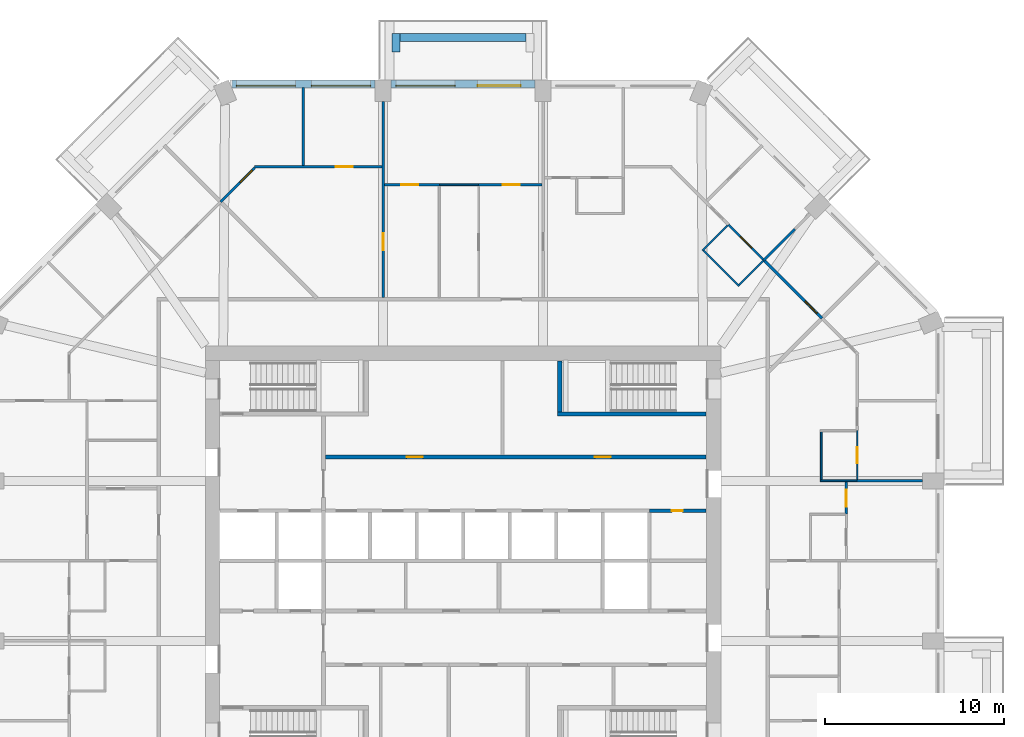
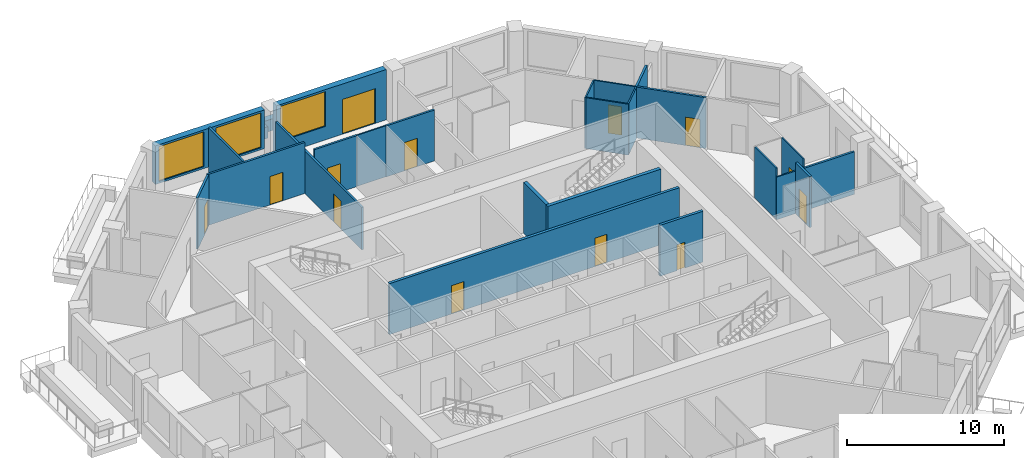
# One storey, part 9 of 13: 26 walls, 13 doors, 3 windows, 16 openings.
"""IFC4 building model written with IfcOpenShell, lengths in metres."""

from ifc_helpers import new_model, si_unit, direction, frame, frame_2d, origin, place, context, subcontext, project, spatial, rectangle, extrude, material, layer, layer_set, type_object, element, fill, save


model = new_model("IFC4")

# Units and contexts
model_context = context("Model", 3, precision=1e-05, world=origin(), true_north=direction((0.0, 1.0)))
body_context = subcontext(model_context, "Body", "Model", "MODEL_VIEW")
ifc_project = project(units=[si_unit("LENGTHUNIT", "METRE"), si_unit("AREAUNIT", "SQUARE_METRE"), si_unit("VOLUMEUNIT", "CUBIC_METRE"), si_unit("PLANEANGLEUNIT", "RADIAN"), si_unit("MASSUNIT", "GRAM", prefix="KILO")], contexts=[model_context])

# Site, building, storey
site_placement = place(None, origin())
site = spatial("IfcSite", under=ifc_project, at=site_placement, CompositionType="ELEMENT")
building_placement = place(site_placement, origin())
building = spatial("IfcBuilding", under=site, at=building_placement, Name="Msitu Wima Residences", CompositionType="ELEMENT")
storey_placement = place(building_placement, frame((0.0, 0.0, 140.10009765625)))
storey = spatial("IfcBuildingStorey", under=building, at=storey_placement, Name="L32", CompositionType="ELEMENT", Elevation=140.10009765625)

# Walls
ifc_material_1 = material(Name="Facing brick")
ifc_layer_1 = layer(ifc_material_1, 0.06494140625, Name="Facing brick")
ifc_material_2 = material(Name="Concrete C40/50", Category="concrete")
ifc_layer_2 = layer(ifc_material_2, 0.156005859375, Name="Concrete C40/50")
ifc_material_3 = material(Name="Waterproofing membrane")
ifc_layer_3 = layer(ifc_material_3, 0.00390625, Name="Waterproofing membrane")
ifc_material_4 = material(Name="Planting soil and planting")
ifc_layer_4 = layer(ifc_material_4, 0.22509765625, Name="Planting soil and planting")
ifc_layer_set_1 = layer_set([ifc_layer_1, ifc_layer_2, ifc_layer_3, ifc_layer_4], Name="Concrete C40/50")
wall_type_1 = type_object("IfcWallType", Name="Balcony planter PLANTER PL450", PredefinedType="USERDEFINED", material=ifc_layer_set_1)
wall_1_placement = place(storey_placement, frame((3.5185546875, 29.22509765625, 0.0), z_axis=(0.0, 0.0, 1.0), x_axis=(-1.0, 0.0, 0.0)))
element("IfcWall", 1, at=wall_1_placement, inside=storey, type_object=wall_type_1, Name="Balcony planter N1 L32", ObjectType="PLANTER", PredefinedType="USERDEFINED", context=body_context, shape_type="SweptSolid", body=[
    extrude(rectangle(XDim=7.037109375, YDim=0.449951171875, at=frame_2d((3.5185546875, 0.0))), origin(), (0.0, 0.0, 1.0), 0.89990234375),
])
wall_2_placement = place(storey_placement, frame((-3.74365234375, 28.39990234375, 0.0), z_axis=(0.0, 0.0, 1.0), x_axis=(0.0, 1.0, 0.0)))
element("IfcWall", 2, at=wall_2_placement, inside=storey, type_object=wall_type_1, Name="Balcony planter N1 L32", ObjectType="PLANTER", PredefinedType="USERDEFINED", context=body_context, shape_type="SweptSolid", body=[
    extrude(rectangle(XDim=1.050048828125, YDim=0.449951171875, at=frame_2d((0.52490234375, 0.0))), origin(), (0.0, 0.0, 1.0), 0.89990234375),
])

# Wall, openings, door, window
ifc_material_5 = material(Name="Brick (red buff mix)", Category="masonry")
ifc_layer_5 = layer(ifc_material_5, 0.449951171875)
ifc_layer_set_2 = layer_set([ifc_layer_5], Name="Brick (red buff mix)")
wall_type_2 = type_object("IfcWallType", Name="Brick infill wall BW450", PredefinedType="SOLIDWALL", material=ifc_layer_set_2)
wall_3_placement = place(storey_placement, frame((4.0185546875, 26.625, 0.0), z_axis=(0.0, 0.0, 1.0), x_axis=(-1.0, 0.0, 0.0)))
wall_3 = element("IfcWall", 3, at=wall_3_placement, inside=storey, type_object=wall_type_2, Name="Brick infill wall L32 N1", PredefinedType="SOLIDWALL", context=body_context, shape_type="SweptSolid", body=[
    extrude(rectangle(XDim=8.037109375, YDim=0.449951171875, at=frame_2d((4.0185546875, 0.0))), origin(), (0.0, 0.0, 1.0), 3.89990234375),
])
opening_1_placement = place(wall_3_placement, frame((0.809326171875, 0.0, 0.0)))
opening_1 = element("IfcOpeningElement", 4, at=opening_1_placement, cuts=wall_3, Name="Opening D30-32.003", PredefinedType="OPENING", context=body_context, shape_type="SweptSolid", body=[
    extrude(rectangle(XDim=2.39990234375, YDim=2.699951171875, at=frame_2d((1.199951171875, 1.35009765625))), frame((0.0, 0.23486328125, 0.0), z_axis=(0.0, -1.0, 0.0), x_axis=(1.0, 0.0, 0.0)), (0.0, 0.0, 1.0), 0.469970703125),
])
opening_2_placement = place(wall_3_placement, frame((4.46875, 0.0, 1.050048828125)))
opening_2 = element("IfcOpeningElement", 5, at=opening_2_placement, cuts=wall_3, Name="Opening W30-32.007", PredefinedType="OPENING", context=body_context, shape_type="SweptSolid", body=[
    extrude(rectangle(XDim=3.300048828125, YDim=2.699951171875, at=frame_2d((1.64990234375, 1.35009765625))), frame((0.0, 0.23486328125, 0.0), z_axis=(0.0, -1.0, 0.0), x_axis=(1.0, 0.0, 0.0)), (0.0, 0.0, 1.0), 0.469970703125),
])
ifc_material_6 = material(Name="Anodised aluminium, bronze finish, clear low-emissivity double glazing", Category="aluminium")
door_type_1 = type_object("IfcDoorType", Name="Balcony door D2400x2700", OperationType="SLIDING_TO_LEFT", PredefinedType="DOOR", material=ifc_material_6)
door_1_placement = place(opening_1_placement, origin())
door_1 = element("IfcDoor", 6, at=door_1_placement, inside=storey, type_object=door_type_1, Name="Balcony door L32 N1", OperationType="SINGLE_SWING_LEFT", OverallHeight=2.699951171875, OverallWidth=2.39990234375, PredefinedType="DOOR", context=body_context, shape_type="SweptSolid", body=[
    extrude(rectangle(XDim=2.39990234375, YDim=2.699951171875, at=frame_2d((1.199951171875, 1.35009765625))), frame((0.0, 0.1298828125, 0.0), z_axis=(0.0, -1.0, 0.0), x_axis=(1.0, 0.0, 0.0)), (0.0, 0.0, 1.0), 0.050048828125),
])
fill(opening_1, door_1)
window_type = type_object("IfcWindowType", Name="Window W3300x2700", PartitioningType="DOUBLE_PANEL_VERTICAL", PredefinedType="WINDOW", material=ifc_material_6)
window_1_placement = place(opening_2_placement, origin())
window_1 = element("IfcWindow", 7, at=window_1_placement, inside=storey, type_object=window_type, Name="Window L32 N1.2", OverallHeight=2.699951171875, OverallWidth=3.300048828125, PartitioningType="SINGLE_PANEL", PredefinedType="WINDOW", context=body_context, shape_type="SweptSolid", body=[
    extrude(rectangle(XDim=3.300048828125, YDim=2.699951171875, at=frame_2d((1.64990234375, 1.35009765625))), frame((0.0, 0.135009765625, 0.0), z_axis=(0.0, -1.0, 0.0), x_axis=(1.0, 0.0, 0.0)), (0.0, 0.0, 1.0), 0.06005859375),
])
fill(opening_2, window_1)

# Wall, openings, windows
wall_4_placement = place(storey_placement, frame((-4.918701171875, 26.625, 0.89990234375), z_axis=(0.0, 0.0, 1.0), x_axis=(-1.0, 0.0, 0.0)))
wall_4 = element("IfcWall", 8, at=wall_4_placement, inside=storey, type_object=wall_type_2, Name="Brick infill wall L32 N2", PredefinedType="SOLIDWALL", context=body_context, shape_type="SweptSolid", body=[
    extrude(rectangle(XDim=8.0, YDim=0.449951171875, at=frame_2d((4.0, 0.0))), origin(), (0.0, 0.0, 1.0), 3.0),
])
opening_3_placement = place(wall_4_placement, frame((0.25, 0.0, 0.14990234375)))
opening_3 = element("IfcOpeningElement", 9, at=opening_3_placement, cuts=wall_4, Name="Opening W30-32.008", PredefinedType="OPENING", context=body_context, shape_type="SweptSolid", body=[
    extrude(rectangle(XDim=3.300048828125, YDim=2.699951171875, at=frame_2d((1.64990234375, 1.35009765625))), frame((0.0, 0.23486328125, 0.0), z_axis=(0.0, -1.0, 0.0), x_axis=(1.0, 0.0, 0.0)), (0.0, 0.0, 1.0), 0.469970703125),
])
opening_4_placement = place(wall_4_placement, frame((4.4501953125, 0.0, 0.14990234375)))
opening_4 = element("IfcOpeningElement", 10, at=opening_4_placement, cuts=wall_4, Name="Opening W30-32.009", PredefinedType="OPENING", context=body_context, shape_type="SweptSolid", body=[
    extrude(rectangle(XDim=3.300048828125, YDim=2.699951171875, at=frame_2d((1.64990234375, 1.35009765625))), frame((0.0, 0.23486328125, 0.0), z_axis=(0.0, -1.0, 0.0), x_axis=(1.0, 0.0, 0.0)), (0.0, 0.0, 1.0), 0.469970703125),
])
window_2_placement = place(opening_3_placement, origin())
window_2 = element("IfcWindow", 11, at=window_2_placement, inside=storey, type_object=window_type, Name="Window L32 N2.1", OverallHeight=2.699951171875, OverallWidth=3.300048828125, PartitioningType="SINGLE_PANEL", PredefinedType="WINDOW", context=body_context, shape_type="SweptSolid", body=[
    extrude(rectangle(XDim=3.300048828125, YDim=2.699951171875, at=frame_2d((1.64990234375, 1.35009765625))), frame((0.0, 0.135009765625, 0.0), z_axis=(0.0, -1.0, 0.0), x_axis=(1.0, 0.0, 0.0)), (0.0, 0.0, 1.0), 0.06005859375),
])
fill(opening_3, window_2)
window_3_placement = place(opening_4_placement, origin())
window_3 = element("IfcWindow", 12, at=window_3_placement, inside=storey, type_object=window_type, Name="Window L32 N2.2", OverallHeight=2.699951171875, OverallWidth=3.300048828125, PartitioningType="SINGLE_PANEL", PredefinedType="WINDOW", context=body_context, shape_type="SweptSolid", body=[
    extrude(rectangle(XDim=3.300048828125, YDim=2.699951171875, at=frame_2d((1.64990234375, 1.35009765625))), frame((0.0, 0.135009765625, 0.0), z_axis=(0.0, -1.0, 0.0), x_axis=(1.0, 0.0, 0.0)), (0.0, 0.0, 1.0), 0.06005859375),
])
fill(opening_4, window_3)

# Wall, openings, doors
ifc_material_7 = material(Name="Plaster")
ifc_layer_6 = layer(ifc_material_7, 0.011962890625, Name="Plaster")
ifc_material_8 = material(Name="Concrete blockwork", Category="masonry")
ifc_layer_7 = layer(ifc_material_8, 0.176025390625, Name="Concrete blockwork")
ifc_layer_8 = layer(ifc_material_7, 0.011962890625, Name="Plaster")
ifc_layer_set_3 = layer_set([ifc_layer_6, ifc_layer_7, ifc_layer_8], Name="Concrete blockwork")
wall_type_3 = type_object("IfcWallType", Name="Corridor wall FW200", PredefinedType="PARTITIONING", material=ifc_layer_set_3)
wall_5_placement = place(storey_placement, frame((-7.699951171875, 5.800048828125, 0.0), z_axis=(0.0, 0.0, 1.0), x_axis=(1.0, 0.0, 0.0)))
wall_5 = element("IfcWall", 13, at=wall_5_placement, inside=storey, type_object=wall_type_3, Name="Corridor wall", PredefinedType="PARTITIONING", context=body_context, shape_type="SweptSolid", body=[
    extrude(rectangle(XDim=21.27001953125, YDim=0.199951171875, at=frame_2d((10.635009765625, 0.0))), origin(), (0.0, 0.0, 1.0), 3.949951171875),
])
opening_5_placement = place(wall_5_placement, frame((4.550048828125, 0.0, 0.0)))
opening_5 = element("IfcOpeningElement", 14, at=opening_5_placement, cuts=wall_5, Name="Opening D30-32.020", PredefinedType="OPENING", context=body_context, shape_type="SweptSolid", body=[
    extrude(rectangle(XDim=0.89990234375, YDim=2.199951171875, at=frame_2d((0.449951171875, 1.10009765625))), frame((0.0, 0.10986328125, 0.0), z_axis=(0.0, -1.0, 0.0), x_axis=(1.0, 0.0, 0.0)), (0.0, 0.0, 1.0), 0.219970703125),
])
opening_6_placement = place(wall_5_placement, frame((15.050048828125, 0.0, 0.0)))
opening_6 = element("IfcOpeningElement", 15, at=opening_6_placement, cuts=wall_5, Name="Opening D30-32.021", PredefinedType="OPENING", context=body_context, shape_type="SweptSolid", body=[
    extrude(rectangle(XDim=0.89990234375, YDim=2.199951171875, at=frame_2d((0.449951171875, 1.10009765625))), frame((0.0, 0.10986328125, 0.0), z_axis=(0.0, -1.0, 0.0), x_axis=(1.0, 0.0, 0.0)), (0.0, 0.0, 1.0), 0.219970703125),
])
ifc_material_9 = material(Name="Timber flush door", Category="wood")
door_type_2 = type_object("IfcDoorType", Name="Service door D05 900x2200", OperationType="SINGLE_SWING_LEFT", PredefinedType="DOOR", material=ifc_material_9)
door_2_placement = place(opening_5_placement, origin())
door_2 = element("IfcDoor", 16, at=door_2_placement, inside=storey, type_object=door_type_2, Name="Service door", OperationType="SINGLE_SWING_LEFT", OverallHeight=2.199951171875, OverallWidth=0.89990234375, PredefinedType="DOOR", context=body_context, shape_type="SweptSolid", body=[
    extrude(rectangle(XDim=0.89990234375, YDim=2.199951171875, at=frame_2d((0.449951171875, 1.10009765625))), frame((0.0, 0.02490234375, 0.0), z_axis=(0.0, -1.0, 0.0), x_axis=(1.0, 0.0, 0.0)), (0.0, 0.0, 1.0), 0.050048828125),
])
fill(opening_5, door_2)
door_3_placement = place(opening_6_placement, origin())
door_3 = element("IfcDoor", 17, at=door_3_placement, inside=storey, type_object=door_type_2, Name="Service door", OperationType="SINGLE_SWING_RIGHT", OverallHeight=2.199951171875, OverallWidth=0.89990234375, PredefinedType="DOOR", context=body_context, shape_type="SweptSolid", body=[
    extrude(rectangle(XDim=0.89990234375, YDim=2.199951171875, at=frame_2d((0.449951171875, 1.10009765625))), frame((0.0, 0.02490234375, 0.0), z_axis=(0.0, -1.0, 0.0), x_axis=(1.0, 0.0, 0.0)), (0.0, 0.0, 1.0), 0.050048828125),
])
fill(opening_6, door_3)

# Wall, opening, door
ifc_layer_9 = layer(ifc_material_7, 0.011962890625, Name="Plaster")
ifc_layer_10 = layer(ifc_material_8, 0.1259765625, Name="Concrete blockwork")
ifc_layer_11 = layer(ifc_material_7, 0.011962890625, Name="Plaster")
ifc_layer_set_4 = layer_set([ifc_layer_9, ifc_layer_10, ifc_layer_11], Name="Concrete blockwork")
wall_type_4 = type_object("IfcWallType", Name="Partition PW150", PredefinedType="PARTITIONING", material=ifc_layer_set_4)
wall_6_placement = place(storey_placement, frame((-13.543212890625, 20.040283203125, 0.0), z_axis=(0.0, 0.0, 1.0), x_axis=(0.707106781187, 0.707106781187, 0.0)))
wall_6 = element("IfcWall", 18, at=wall_6_placement, inside=storey, type_object=wall_type_4, Name="Partition", PredefinedType="PARTITIONING", context=body_context, shape_type="SweptSolid", body=[
    extrude(rectangle(XDim=2.696533203125, YDim=0.14990234375, at=frame_2d((1.34814453125, 0.0))), origin(), (0.0, 0.0, 1.0), 3.949951171875),
])
opening_7_placement = place(wall_6_placement, frame((1.550048828125, 0.0, 0.0)))
opening_7 = element("IfcOpeningElement", 19, at=opening_7_placement, cuts=wall_6, Name="Opening D30-32.044", PredefinedType="OPENING", context=body_context, shape_type="SweptSolid", body=[
    extrude(rectangle(XDim=0.949951171875, YDim=2.199951171875, at=frame_2d((0.47509765625, 1.10009765625))), frame((0.0, 0.0849609375, 0.0), z_axis=(0.0, -1.0, 0.0), x_axis=(1.0, 0.0, 0.0)), (0.0, 0.0, 1.0), 0.169921875),
])
door_type_3 = type_object("IfcDoorType", Name="Room door D12 950x2200", OperationType="SINGLE_SWING_LEFT", PredefinedType="DOOR", material=ifc_material_9)
door_4_placement = place(opening_7_placement, origin())
door_4 = element("IfcDoor", 20, at=door_4_placement, inside=storey, type_object=door_type_3, Name="Room door", OperationType="SINGLE_SWING_LEFT", OverallHeight=2.199951171875, OverallWidth=0.949951171875, PredefinedType="DOOR", context=body_context, shape_type="SweptSolid", body=[
    extrude(rectangle(XDim=0.949951171875, YDim=2.199951171875, at=frame_2d((0.47509765625, 1.10009765625))), frame((0.0, 0.02490234375, 0.0), z_axis=(0.0, -1.0, 0.0), x_axis=(1.0, 0.0, 0.0)), (0.0, 0.0, 1.0), 0.050048828125),
])
fill(opening_7, door_4)

wall_7_placement = place(storey_placement, frame((-11.658447265625, 22.0, 0.0), z_axis=(0.0, 0.0, 1.0), x_axis=(1.0, 0.0, 0.0)))
wall_7 = element("IfcWall", 21, at=wall_7_placement, inside=storey, type_object=wall_type_4, Name="Partition", PredefinedType="PARTITIONING", context=body_context, shape_type="SweptSolid", body=[
    extrude(rectangle(XDim=7.11474609375, YDim=0.14990234375, at=frame_2d((3.557373046875, 0.0))), origin(), (0.0, 0.0, 1.0), 3.949951171875),
])
opening_8_placement = place(wall_7_placement, frame((4.550048828125, 0.0, 0.0)))
opening_8 = element("IfcOpeningElement", 22, at=opening_8_placement, cuts=wall_7, Name="Opening D30-32.043", PredefinedType="OPENING", context=body_context, shape_type="SweptSolid", body=[
    extrude(rectangle(XDim=0.949951171875, YDim=2.199951171875, at=frame_2d((0.47509765625, 1.10009765625))), frame((0.0, 0.0849609375, 0.0), z_axis=(0.0, -1.0, 0.0), x_axis=(1.0, 0.0, 0.0)), (0.0, 0.0, 1.0), 0.169921875),
])
door_5_placement = place(opening_8_placement, origin())
door_5 = element("IfcDoor", 23, at=door_5_placement, inside=storey, type_object=door_type_3, Name="Room door", OperationType="SINGLE_SWING_RIGHT", OverallHeight=2.199951171875, OverallWidth=0.949951171875, PredefinedType="DOOR", context=body_context, shape_type="SweptSolid", body=[
    extrude(rectangle(XDim=0.949951171875, YDim=2.199951171875, at=frame_2d((0.47509765625, 1.10009765625))), frame((0.0, 0.02490234375, 0.0), z_axis=(0.0, -1.0, 0.0), x_axis=(1.0, 0.0, 0.0)), (0.0, 0.0, 1.0), 0.050048828125),
])
fill(opening_8, door_5)

# Wall
wall_8_placement = place(storey_placement, frame((-8.937255859375, 22.074951171875, 0.0), z_axis=(0.0, 0.0, 1.0), x_axis=(0.0, 1.0, 0.0)))
element("IfcWall", 24, at=wall_8_placement, inside=storey, type_object=wall_type_4, Name="Partition", PredefinedType="PARTITIONING", context=body_context, shape_type="SweptSolid", body=[
    extrude(rectangle(XDim=4.35009765625, YDim=0.14990234375, at=frame_2d((2.175048828125, 0.0))), origin(), (0.0, 0.0, 1.0), 3.949951171875),
])

# Wall, opening, door
wall_9_placement = place(storey_placement, frame((-4.46875, 14.699951171875, 0.0), z_axis=(0.0, 0.0, 1.0), x_axis=(0.0, 1.0, 0.0)))
wall_9 = element("IfcWall", 25, at=wall_9_placement, inside=storey, type_object=wall_type_4, Name="Partition", PredefinedType="PARTITIONING", context=body_context, shape_type="SweptSolid", body=[
    extrude(rectangle(XDim=10.949951171875, YDim=0.14990234375, at=frame_2d((5.47509765625, 0.0))), origin(), (0.0, 0.0, 1.0), 3.2998046875),
])
opening_9_placement = place(wall_9_placement, frame((2.64990234375, 0.0, 0.0)))
opening_9 = element("IfcOpeningElement", 26, at=opening_9_placement, cuts=wall_9, Name="Opening D30-32.042", PredefinedType="OPENING", context=body_context, shape_type="SweptSolid", body=[
    extrude(rectangle(XDim=0.949951171875, YDim=2.199951171875, at=frame_2d((0.47509765625, 1.10009765625))), frame((0.0, 0.0849609375, 0.0), z_axis=(0.0, -1.0, 0.0), x_axis=(1.0, 0.0, 0.0)), (0.0, 0.0, 1.0), 0.169921875),
])
door_6_placement = place(opening_9_placement, origin())
door_6 = element("IfcDoor", 27, at=door_6_placement, inside=storey, type_object=door_type_3, Name="Room door", OperationType="SINGLE_SWING_LEFT", OverallHeight=2.199951171875, OverallWidth=0.949951171875, PredefinedType="DOOR", context=body_context, shape_type="SweptSolid", body=[
    extrude(rectangle(XDim=0.949951171875, YDim=2.199951171875, at=frame_2d((0.47509765625, 1.10009765625))), frame((0.0, 0.02490234375, 0.0), z_axis=(0.0, -1.0, 0.0), x_axis=(1.0, 0.0, 0.0)), (0.0, 0.0, 1.0), 0.050048828125),
])
fill(opening_9, door_6)

wall_10_placement = place(storey_placement, frame((-4.3935546875, 21.0, 0.0), z_axis=(0.0, 0.0, 1.0), x_axis=(1.0, 0.0, 0.0)))
wall_10 = element("IfcWall", 28, at=wall_10_placement, inside=storey, type_object=wall_type_4, Name="Partition", PredefinedType="PARTITIONING", context=body_context, shape_type="SweptSolid", body=[
    extrude(rectangle(XDim=3.082275390625, YDim=0.14990234375, at=frame_2d((1.541015625, 0.0))), origin(), (0.0, 0.0, 1.0), 3.949951171875),
])
opening_10_placement = place(wall_10_placement, frame((0.949951171875, 0.0, 0.0)))
opening_10 = element("IfcOpeningElement", 29, at=opening_10_placement, cuts=wall_10, Name="Opening D30-32.041", PredefinedType="OPENING", context=body_context, shape_type="SweptSolid", body=[
    extrude(rectangle(XDim=0.949951171875, YDim=2.199951171875, at=frame_2d((0.47509765625, 1.10009765625))), frame((0.0, 0.0849609375, 0.0), z_axis=(0.0, -1.0, 0.0), x_axis=(1.0, 0.0, 0.0)), (0.0, 0.0, 1.0), 0.169921875),
])
door_7_placement = place(opening_10_placement, origin())
door_7 = element("IfcDoor", 30, at=door_7_placement, inside=storey, type_object=door_type_3, Name="Room door", OperationType="SINGLE_SWING_LEFT", OverallHeight=2.199951171875, OverallWidth=0.949951171875, PredefinedType="DOOR", context=body_context, shape_type="SweptSolid", body=[
    extrude(rectangle(XDim=0.949951171875, YDim=2.199951171875, at=frame_2d((0.47509765625, 1.10009765625))), frame((0.0, 0.02490234375, 0.0), z_axis=(0.0, -1.0, 0.0), x_axis=(1.0, 0.0, 0.0)), (0.0, 0.0, 1.0), 0.050048828125),
])
fill(opening_10, door_7)

wall_11_placement = place(storey_placement, frame((0.8486328125, 21.0, 0.0), z_axis=(0.0, 0.0, 1.0), x_axis=(1.0, 0.0, 0.0)))
wall_11 = element("IfcWall", 31, at=wall_11_placement, inside=storey, type_object=wall_type_4, Name="Partition", PredefinedType="PARTITIONING", context=body_context, shape_type="SweptSolid", body=[
    extrude(rectangle(XDim=3.544921875, YDim=0.14990234375, at=frame_2d((1.7724609375, 0.0))), origin(), (0.0, 0.0, 1.0), 3.949951171875),
])
opening_11_placement = place(wall_11_placement, frame((1.35009765625, 0.0, 0.0)))
opening_11 = element("IfcOpeningElement", 32, at=opening_11_placement, cuts=wall_11, Name="Opening D30-32.073", PredefinedType="OPENING", context=body_context, shape_type="SweptSolid", body=[
    extrude(rectangle(XDim=0.949951171875, YDim=2.199951171875, at=frame_2d((0.47509765625, 1.10009765625))), frame((0.0, 0.0849609375, 0.0), z_axis=(0.0, -1.0, 0.0), x_axis=(1.0, 0.0, 0.0)), (0.0, 0.0, 1.0), 0.169921875),
])
door_8_placement = place(opening_11_placement, origin())
door_8 = element("IfcDoor", 33, at=door_8_placement, inside=storey, type_object=door_type_3, Name="Room door", OperationType="SINGLE_SWING_RIGHT", OverallHeight=2.199951171875, OverallWidth=0.949951171875, PredefinedType="DOOR", context=body_context, shape_type="SweptSolid", body=[
    extrude(rectangle(XDim=0.949951171875, YDim=2.199951171875, at=frame_2d((0.47509765625, 1.10009765625))), frame((0.0, 0.02490234375, 0.0), z_axis=(0.0, -1.0, 0.0), x_axis=(1.0, 0.0, 0.0)), (0.0, 0.0, 1.0), 0.050048828125),
])
fill(opening_11, door_8)

# Wall
wall_12_placement = place(storey_placement, frame((16.777587890625, 16.777587890625, 0.0), z_axis=(0.0, 0.0, 1.0), x_axis=(0.707106781187, 0.707106781187, 0.0)))
element("IfcWall", 34, at=wall_12_placement, inside=storey, type_object=wall_type_4, Name="Partition", PredefinedType="PARTITIONING", context=body_context, shape_type="SweptSolid", body=[
    extrude(rectangle(XDim=2.460693359375, YDim=0.14990234375, at=frame_2d((1.23046875, 0.0))), origin(), (0.0, 0.0, 1.0), 3.949951171875),
])

# Wall, opening, door
wall_13_placement = place(storey_placement, frame((16.791748046875, 16.791748046875, 0.0), z_axis=(0.0, 0.0, 1.0), x_axis=(0.707106781187, -0.707106781187, 0.0)))
wall_13 = element("IfcWall", 35, at=wall_13_placement, inside=storey, type_object=wall_type_4, Name="Partition", PredefinedType="PARTITIONING", context=body_context, shape_type="SweptSolid", body=[
    extrude(rectangle(XDim=4.59423828125, YDim=0.14990234375, at=frame_2d((2.297119140625, 0.0))), origin(), (0.0, 0.0, 1.0), 3.949951171875),
])
opening_12_placement = place(wall_13_placement, frame((3.25, 0.0, 0.0)))
opening_12 = element("IfcOpeningElement", 36, at=opening_12_placement, cuts=wall_13, Name="Opening D30-32.062", PredefinedType="OPENING", context=body_context, shape_type="SweptSolid", body=[
    extrude(rectangle(XDim=0.949951171875, YDim=2.199951171875, at=frame_2d((0.47509765625, 1.10009765625))), frame((0.0, 0.0849609375, 0.0), z_axis=(0.0, -1.0, 0.0), x_axis=(1.0, 0.0, 0.0)), (0.0, 0.0, 1.0), 0.169921875),
])
door_9_placement = place(opening_12_placement, origin())
door_9 = element("IfcDoor", 37, at=door_9_placement, inside=storey, type_object=door_type_3, Name="Room door", OperationType="SINGLE_SWING_RIGHT", OverallHeight=2.199951171875, OverallWidth=0.949951171875, PredefinedType="DOOR", context=body_context, shape_type="SweptSolid", body=[
    extrude(rectangle(XDim=0.949951171875, YDim=2.199951171875, at=frame_2d((0.47509765625, 1.10009765625))), frame((0.0, 0.02490234375, 0.0), z_axis=(0.0, -1.0, 0.0), x_axis=(1.0, 0.0, 0.0)), (0.0, 0.0, 1.0), 0.050048828125),
])
fill(opening_12, door_9)

wall_14_placement = place(storey_placement, frame((21.39990234375, 2.6201171875, 0.0), z_axis=(0.0, 0.0, 1.0), x_axis=(0.0, 1.0, 0.0)))
wall_14 = element("IfcWall", 38, at=wall_14_placement, inside=storey, type_object=wall_type_4, Name="Partition", PredefinedType="PARTITIONING", context=body_context, shape_type="SweptSolid", body=[
    extrude(rectangle(XDim=1.798583984375, YDim=0.14990234375, at=frame_2d((0.8994140625, 0.0))), origin(), (0.0, 0.0, 1.0), 3.949951171875),
])
opening_13_placement = place(wall_14_placement, frame((0.39990234375, 0.0, 0.0)))
opening_13 = element("IfcOpeningElement", 39, at=opening_13_placement, cuts=wall_14, Name="Opening D30-32.079", PredefinedType="OPENING", context=body_context, shape_type="SweptSolid", body=[
    extrude(rectangle(XDim=0.949951171875, YDim=2.199951171875, at=frame_2d((0.47509765625, 1.10009765625))), frame((0.0, 0.0849609375, 0.0), z_axis=(0.0, -1.0, 0.0), x_axis=(1.0, 0.0, 0.0)), (0.0, 0.0, 1.0), 0.169921875),
])
door_10_placement = place(opening_13_placement, origin())
door_10 = element("IfcDoor", 40, at=door_10_placement, inside=storey, type_object=door_type_3, Name="Room door", OperationType="SINGLE_SWING_LEFT", OverallHeight=2.199951171875, OverallWidth=0.949951171875, PredefinedType="DOOR", context=body_context, shape_type="SweptSolid", body=[
    extrude(rectangle(XDim=0.949951171875, YDim=2.199951171875, at=frame_2d((0.47509765625, 1.10009765625))), frame((0.0, 0.02490234375, 0.0), z_axis=(0.0, -1.0, 0.0), x_axis=(1.0, 0.0, 0.0)), (0.0, 0.0, 1.0), 0.050048828125),
])
fill(opening_13, door_10)

# Wall
wall_15_placement = place(storey_placement, frame((21.97998046875, 4.46875, 0.0), z_axis=(0.0, 0.0, 1.0), x_axis=(1.0, 0.0, 0.0)))
element("IfcWall", 41, at=wall_15_placement, inside=storey, type_object=wall_type_4, Name="Partition", PredefinedType="PARTITIONING", context=body_context, shape_type="SweptSolid", body=[
    extrude(rectangle(XDim=3.669921875, YDim=0.14990234375, at=frame_2d((1.8349609375, 0.0))), origin(), (0.0, 0.0, 1.0), 3.2998046875),
])

# Wall, opening, door
ifc_layer_12 = layer(ifc_material_7, 0.011962890625, Name="Plaster")
ifc_material_10 = material(Name="Reinforced concrete blockwork", Category="masonry")
ifc_layer_13 = layer(ifc_material_10, 0.176025390625, Name="Reinforced concrete blockwork")
ifc_layer_14 = layer(ifc_material_7, 0.011962890625, Name="Plaster")
ifc_layer_set_5 = layer_set([ifc_layer_12, ifc_layer_13, ifc_layer_14], Name="Reinforced concrete blockwork")
wall_type_5 = type_object("IfcWallType", Name="Plant and riser wall PL200", PredefinedType="PARTITIONING", material=ifc_layer_set_5)
wall_16_placement = place(storey_placement, frame((10.39990234375, 2.800048828125, 0.0), z_axis=(0.0, 0.0, 1.0), x_axis=(1.0, 0.0, 0.0)))
wall_16 = element("IfcWall", 42, at=wall_16_placement, inside=storey, type_object=wall_type_5, Name="Plant and riser wall", PredefinedType="PARTITIONING", context=body_context, shape_type="SweptSolid", body=[
    extrude(rectangle(XDim=3.170166015625, YDim=0.199951171875, at=frame_2d((1.5849609375, 0.0))), origin(), (0.0, 0.0, 1.0), 3.949951171875),
])
opening_14_placement = place(wall_16_placement, frame((1.25, 0.0, 0.0)))
opening_14 = element("IfcOpeningElement", 43, at=opening_14_placement, cuts=wall_16, Name="Opening D30-32.029", PredefinedType="OPENING", context=body_context, shape_type="SweptSolid", body=[
    extrude(rectangle(XDim=0.60009765625, YDim=2.0, at=frame_2d((0.300048828125, 1.0))), frame((0.0, 0.10986328125, 0.0), z_axis=(0.0, -1.0, 0.0), x_axis=(1.0, 0.0, 0.0)), (0.0, 0.0, 1.0), 0.219970703125),
])
ifc_material_11 = material(Name="Steel access door, fire resisting", Category="steel")
door_type_4 = type_object("IfcDoorType", Name="Riser access door D08 600x2000", OperationType="SINGLE_SWING_LEFT", PredefinedType="DOOR", material=ifc_material_11)
door_11_placement = place(opening_14_placement, origin())
door_11 = element("IfcDoor", 44, at=door_11_placement, inside=storey, type_object=door_type_4, Name="Riser access door", OperationType="SINGLE_SWING_RIGHT", OverallHeight=2.0, OverallWidth=0.60009765625, PredefinedType="DOOR", context=body_context, shape_type="SweptSolid", body=[
    extrude(rectangle(XDim=0.60009765625, YDim=2.0, at=frame_2d((0.300048828125, 1.0))), frame((0.0, 0.02490234375, 0.0), z_axis=(0.0, -1.0, 0.0), x_axis=(1.0, 0.0, 0.0)), (0.0, 0.0, 1.0), 0.050048828125),
])
fill(opening_14, door_11)

# Walls
ifc_material_12 = material(Name="Concrete C50/60", Category="concrete")
ifc_layer_15 = layer(ifc_material_12, 0.25)
ifc_layer_set_6 = layer_set([ifc_layer_15], Name="Concrete C50/60")
wall_type_6 = type_object("IfcWallType", Name="Stair enclosure wall SW250", PredefinedType="SHEAR", material=ifc_layer_set_6)
wall_17_placement = place(storey_placement, frame((5.39990234375, 8.324951171875, 0.0), z_axis=(0.0, 0.0, 1.0), x_axis=(0.0, 1.0, 0.0)))
element("IfcWall", 45, at=wall_17_placement, inside=storey, type_object=wall_type_6, Name="Stair enclosure wall", PredefinedType="SHEAR", context=body_context, shape_type="SweptSolid", body=[
    extrude(rectangle(XDim=2.844970703125, YDim=0.25, at=frame_2d((1.42236328125, 0.0))), origin(), (0.0, 0.0, 1.0), 3.949951171875),
])
wall_18_placement = place(storey_placement, frame((5.27490234375, 8.199951171875, 0.0), z_axis=(0.0, 0.0, 1.0), x_axis=(1.0, 0.0, 0.0)))
element("IfcWall", 46, at=wall_18_placement, inside=storey, type_object=wall_type_6, Name="Stair enclosure wall", PredefinedType="SHEAR", context=body_context, shape_type="SweptSolid", body=[
    extrude(rectangle(XDim=8.295166015625, YDim=0.25, at=frame_2d((4.1474609375, 0.0))), origin(), (0.0, 0.0, 1.0), 3.949951171875),
])
ifc_material_13 = material(Name="Ceramic tiles")
ifc_layer_16 = layer(ifc_material_13, 0.008056640625, Name="Ceramic tiles")
ifc_material_14 = material(Name="Moisture-resistant board")
ifc_layer_17 = layer(ifc_material_14, 0.012451171875, Name="Moisture-resistant board")
ifc_material_15 = material(Name="Light-gauge stud framing with mineral wool")
ifc_layer_18 = layer(ifc_material_15, 0.06689453125, Name="Light-gauge stud framing with mineral wool")
ifc_layer_19 = layer(ifc_material_14, 0.012451171875, Name="Moisture-resistant board")
ifc_layer_set_7 = layer_set([ifc_layer_16, ifc_layer_17, ifc_layer_18, ifc_layer_19], Name="Light-gauge stud framing with mineral wool")
wall_type_7 = type_object("IfcWallType", Name="Wet wall PW100", PredefinedType="PARTITIONING", material=ifc_layer_set_7)
wall_19_placement = place(storey_placement, frame((-1.311279296875, 21.0, 0.0), z_axis=(0.0, 0.0, 1.0), x_axis=(1.0, 0.0, 0.0)))
element("IfcWall", 47, at=wall_19_placement, inside=storey, type_object=wall_type_7, Name="Wet wall", PredefinedType="PARTITIONING", context=body_context, shape_type="SweptSolid", body=[
    extrude(rectangle(XDim=2.159912109375, YDim=0.10009765625, at=frame_2d((1.080078125, 0.0))), origin(), (0.0, 0.0, 1.0), 3.949951171875),
])
wall_20_placement = place(storey_placement, frame((13.3623046875, 17.322021484375, 0.0), z_axis=(0.0, 0.0, 1.0), x_axis=(0.707045742145, 0.70716781496, 0.0)))
element("IfcWall", 48, at=wall_20_placement, inside=storey, type_object=wall_type_7, Name="Wet wall", PredefinedType="PARTITIONING", context=body_context, shape_type="SweptSolid", body=[
    extrude(rectangle(XDim=2.0, YDim=0.10009765625, at=frame_2d((1.0, 0.0))), origin(), (0.0, 0.0, 1.0), 3.949951171875),
])
wall_21_placement = place(storey_placement, frame((13.432861328125, 17.322021484375, 0.0), z_axis=(0.0, 0.0, 1.0), x_axis=(0.707106781187, -0.707106781187, 0.0)))
element("IfcWall", 49, at=wall_21_placement, inside=storey, type_object=wall_type_7, Name="Wet wall", PredefinedType="PARTITIONING", context=body_context, shape_type="SweptSolid", body=[
    extrude(rectangle(XDim=2.800048828125, YDim=0.10009765625, at=frame_2d((1.39990234375, 0.0))), origin(), (0.0, 0.0, 1.0), 3.949951171875),
])

# Wall, opening, door
wall_22_placement = place(storey_placement, frame((14.811767578125, 18.771484375, 0.0), z_axis=(0.0, 0.0, 1.0), x_axis=(0.707150377276, -0.707063182409, 0.0)))
wall_22 = element("IfcWall", 50, at=wall_22_placement, inside=storey, type_object=wall_type_7, Name="Wet wall", PredefinedType="PARTITIONING", context=body_context, shape_type="SweptSolid", body=[
    extrude(rectangle(XDim=2.800048828125, YDim=0.10009765625, at=frame_2d((1.39990234375, 0.0))), origin(), (0.0, 0.0, 1.0), 3.949951171875),
])
opening_15_placement = place(wall_22_placement, frame((0.949951171875, 0.0, 0.0)))
opening_15 = element("IfcOpeningElement", 51, at=opening_15_placement, cuts=wall_22, Name="Opening D30-32.089", PredefinedType="OPENING", context=body_context, shape_type="SweptSolid", body=[
    extrude(rectangle(XDim=0.89990234375, YDim=2.199951171875, at=frame_2d((0.449951171875, 1.10009765625))), frame((0.0, 0.06005859375, 0.0), z_axis=(0.0, -1.0, 0.0), x_axis=(1.0, 0.0, 0.0)), (0.0, 0.0, 1.0), 0.1201171875),
])
ifc_material_16 = material(Name="Timber flush door, moisture resistant", Category="wood")
door_type_5 = type_object("IfcDoorType", Name="Bathroom door D03 900x2200", OperationType="SINGLE_SWING_LEFT", PredefinedType="DOOR", material=ifc_material_16)
door_12_placement = place(opening_15_placement, origin())
door_12 = element("IfcDoor", 52, at=door_12_placement, inside=storey, type_object=door_type_5, Name="Bathroom door", OperationType="SINGLE_SWING_LEFT", OverallHeight=2.199951171875, OverallWidth=0.89990234375, PredefinedType="DOOR", context=body_context, shape_type="SweptSolid", body=[
    extrude(rectangle(XDim=0.89990234375, YDim=2.199951171875, at=frame_2d((0.449951171875, 1.10009765625))), frame((0.0, 0.02490234375, 0.0), z_axis=(0.0, -1.0, 0.0), x_axis=(1.0, 0.0, 0.0)), (0.0, 0.0, 1.0), 0.050048828125),
])
fill(opening_15, door_12)

# Walls
wall_23_placement = place(storey_placement, frame((15.412841796875, 15.412841796875, 0.0), z_axis=(0.0, 0.0, 1.0), x_axis=(0.707106781187, 0.707106781187, 0.0)))
element("IfcWall", 53, at=wall_23_placement, inside=storey, type_object=wall_type_7, Name="Wet wall", PredefinedType="PARTITIONING", context=body_context, shape_type="SweptSolid", body=[
    extrude(rectangle(XDim=1.929931640625, YDim=0.10009765625, at=frame_2d((0.96484375, 0.0))), origin(), (0.0, 0.0, 1.0), 3.949951171875),
])
wall_24_placement = place(storey_placement, frame((20.0, 4.5185546875, 0.0), z_axis=(0.0, 0.0, 1.0), x_axis=(0.0, 1.0, 0.0)))
element("IfcWall", 54, at=wall_24_placement, inside=storey, type_object=wall_type_7, Name="Wet wall", PredefinedType="PARTITIONING", context=body_context, shape_type="SweptSolid", body=[
    extrude(rectangle(XDim=2.7001953125, YDim=0.10009765625, at=frame_2d((1.35009765625, 0.0))), origin(), (0.0, 0.0, 1.0), 3.949951171875),
])
wall_25_placement = place(storey_placement, frame((19.949951171875, 4.46875, 0.0), z_axis=(0.0, 0.0, 1.0), x_axis=(1.0, 0.0, 0.0)))
element("IfcWall", 55, at=wall_25_placement, inside=storey, type_object=wall_type_7, Name="Wet wall", PredefinedType="PARTITIONING", context=body_context, shape_type="SweptSolid", body=[
    extrude(rectangle(XDim=2.030029296875, YDim=0.10009765625, at=frame_2d((1.01513671875, 0.0))), origin(), (0.0, 0.0, 1.0), 3.2998046875),
])

# Wall, opening, door
wall_26_placement = place(storey_placement, frame((22.0, 4.543701171875, 0.0), z_axis=(0.0, 0.0, 1.0), x_axis=(0.0, 1.0, 0.0)))
wall_26 = element("IfcWall", 56, at=wall_26_placement, inside=storey, type_object=wall_type_7, Name="Wet wall", PredefinedType="PARTITIONING", context=body_context, shape_type="SweptSolid", body=[
    extrude(rectangle(XDim=2.724853515625, YDim=0.10009765625, at=frame_2d((1.3623046875, 0.0))), origin(), (0.0, 0.0, 1.0), 3.949951171875),
])
opening_16_placement = place(wall_26_placement, frame((0.89990234375, 0.0, 0.0)))
opening_16 = element("IfcOpeningElement", 57, at=opening_16_placement, cuts=wall_26, Name="Opening D30-32.078", PredefinedType="OPENING", context=body_context, shape_type="SweptSolid", body=[
    extrude(rectangle(XDim=0.89990234375, YDim=2.199951171875, at=frame_2d((0.449951171875, 1.10009765625))), frame((0.0, 0.06005859375, 0.0), z_axis=(0.0, -1.0, 0.0), x_axis=(1.0, 0.0, 0.0)), (0.0, 0.0, 1.0), 0.1201171875),
])
door_13_placement = place(opening_16_placement, origin())
door_13 = element("IfcDoor", 58, at=door_13_placement, inside=storey, type_object=door_type_5, Name="Bathroom door", OperationType="SINGLE_SWING_RIGHT", OverallHeight=2.199951171875, OverallWidth=0.89990234375, PredefinedType="DOOR", context=body_context, shape_type="SweptSolid", body=[
    extrude(rectangle(XDim=0.89990234375, YDim=2.199951171875, at=frame_2d((0.449951171875, 1.10009765625))), frame((0.0, 0.02490234375, 0.0), z_axis=(0.0, -1.0, 0.0), x_axis=(1.0, 0.0, 0.0)), (0.0, 0.0, 1.0), 0.050048828125),
])
fill(opening_16, door_13)

save(model, "model.ifc")
